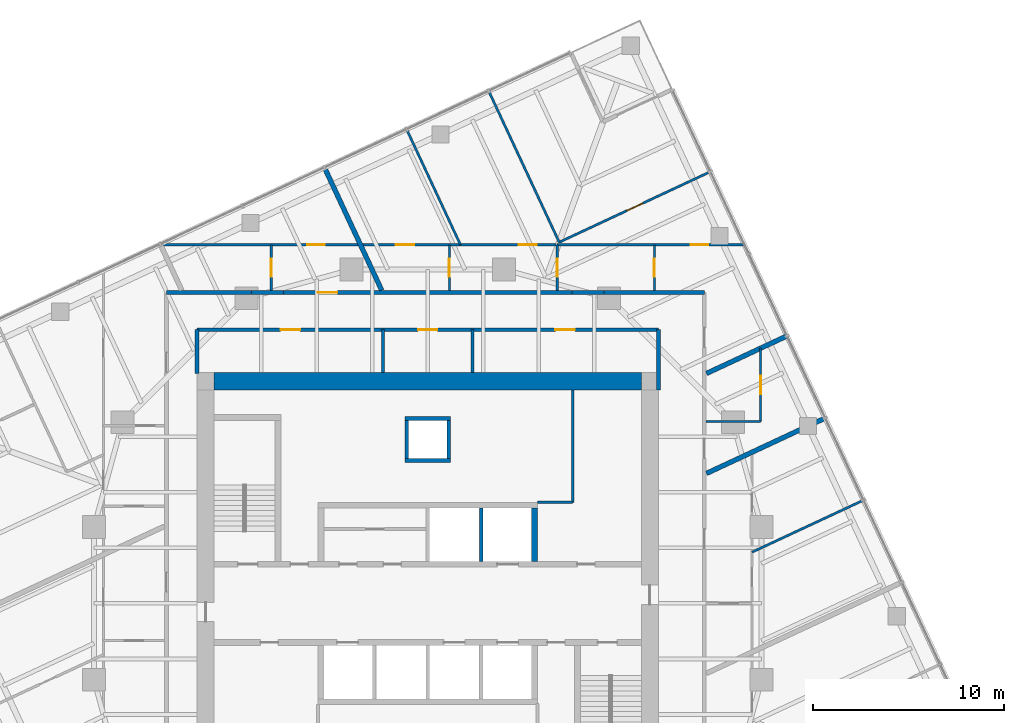
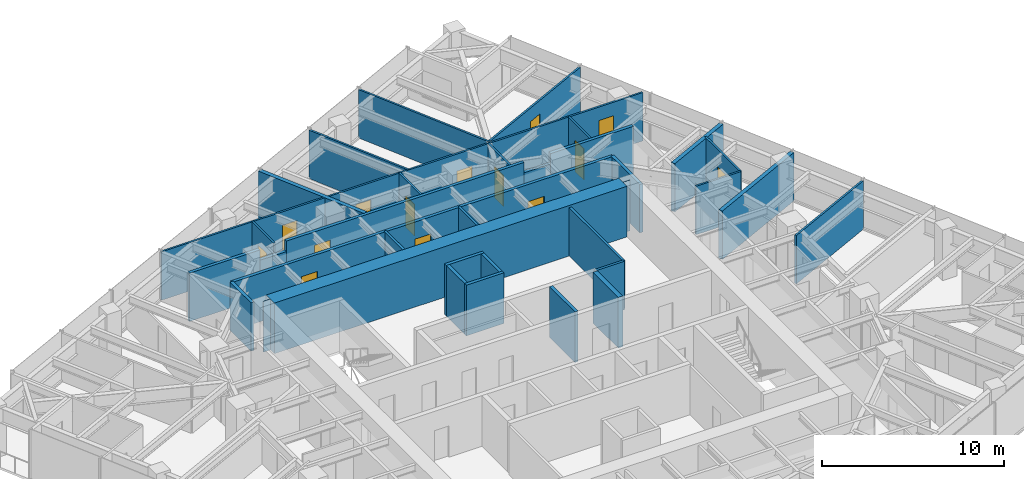
# One storey, part 11 of 13: 34 walls, 14 doors, 14 openings.
"""IFC4 building model written with IfcOpenShell, lengths in metres."""

from ifc_helpers import new_model, si_unit, direction, frame, frame_2d, origin, place, context, subcontext, project, spatial, polyline, rectangle, outline, extrude, material, layer, layer_set, type_object, element, fill, save


model = new_model("IFC4")

# Units and contexts
model_context = context("Model", 3, precision=1e-05, world=origin(), true_north=direction((0.0, 1.0)))
body_context = subcontext(model_context, "Body", "Model", "MODEL_VIEW")
ifc_project = project(units=[si_unit("LENGTHUNIT", "METRE"), si_unit("AREAUNIT", "SQUARE_METRE"), si_unit("VOLUMEUNIT", "CUBIC_METRE"), si_unit("PLANEANGLEUNIT", "RADIAN"), si_unit("MASSUNIT", "GRAM", prefix="KILO")], contexts=[model_context])

# Site, building, storey
site_placement = place(None, origin())
site = spatial("IfcSite", under=ifc_project, at=site_placement, CompositionType="ELEMENT")
building_placement = place(site_placement, origin())
building = spatial("IfcBuilding", under=site, at=building_placement, Name="Torsade Residences", CompositionType="ELEMENT")
storey_placement = place(building_placement, frame((0.0, 0.0, 176.0)))
storey = spatial("IfcBuildingStorey", under=building, at=storey_placement, Name="L48", CompositionType="ELEMENT", Elevation=176.0)

# Walls
ifc_material_1 = material(Name="Concrete 80 MPa", Category="concrete")
ifc_layer_1 = layer(ifc_material_1, 0.300048828125)
ifc_layer_set_1 = layer_set([ifc_layer_1], Name="Concrete 80 MPa")
wall_type_1 = type_object("IfcWallType", Name="CORE INTERNAL WALL 300", PredefinedType="SHEAR", material=ifc_layer_set_1)
wall_1_placement = place(storey_placement, frame((45.60009765625, 32.199951171875, 0.0), z_axis=(0.0, 0.0, 1.0), x_axis=(0.0, 1.0, 0.0)))
element("IfcWall", 1, at=wall_1_placement, inside=storey, type_object=wall_type_1, Name="Core wall DN4 L48", PredefinedType="SHEAR", context=body_context, shape_type="SweptSolid", body=[
    extrude(rectangle(XDim=2.800048828125, YDim=0.300048828125, at=frame_2d((1.39990234375, 0.0))), origin(), (0.0, 0.0, 1.0), 3.39990234375),
])
ifc_material_2 = material(Name="Concrete 80 MPa", Category="concrete")
ifc_layer_2 = layer(ifc_material_2, 0.89990234375)
ifc_layer_set_2 = layer_set([ifc_layer_2], Name="Concrete 80 MPa")
wall_type_2 = type_object("IfcWallType", Name="CORE WALL 900", PredefinedType="SHEAR", material=ifc_layer_set_2)
wall_2_placement = place(storey_placement, frame((28.800048828125, 41.64990234375, 0.0), z_axis=(0.0, 0.0, 1.0), x_axis=(1.0, 0.0, 0.0)))
element("IfcWall", 2, at=wall_2_placement, inside=storey, type_object=wall_type_2, Name="Core wall N L48", PredefinedType="SHEAR", context=body_context, shape_type="SweptSolid", body=[
    extrude(outline(polyline([(0.0, -0.449951171875), (22.39990234375, -0.449951171875), (22.39990234375, -0.02490234375), (22.849853515625, -0.02490234375), (22.849853515625, 0.02490234375), (22.39990234375, 0.02490234375), (22.39990234375, 0.449951171875), (0.0, 0.449951171875), (0.0, 0.02490234375), (-0.449951171875, 0.02490234375), (-0.449951171875, -0.02490234375), (0.0, -0.02490234375), (0.0, -0.449951171875)])), origin(), (0.0, 0.0, 1.0), 3.39990234375),
])
ifc_material_3 = material(Name="Plasterboard on steel stud", Category="steel")
ifc_layer_3 = layer(ifc_material_3, 0.199951171875)
ifc_layer_set_3 = layer_set([ifc_layer_3], Name="Plasterboard on steel stud")
wall_type_3 = type_object("IfcWallType", Name="CORRIDOR WALL 200", PredefinedType="PARTITIONING", material=ifc_layer_set_3)
wall_3_placement = place(storey_placement, frame((54.5, 46.300048828125, 0.0), z_axis=(0.0, 0.0, 1.0), x_axis=(-1.0, 0.0, 0.0)))
element("IfcWall", 3, at=wall_3_placement, inside=storey, type_object=wall_type_3, Name="Corridor wall L48", PredefinedType="PARTITIONING", context=body_context, shape_type="SweptSolid", body=[
    extrude(rectangle(XDim=5.25830078125, YDim=0.199951171875, at=frame_2d((2.629150390625, 0.0))), origin(), (0.0, 0.0, 1.0), 3.25),
])
wall_4_placement = place(storey_placement, frame((49.24169921875, 46.300048828125, 0.0), z_axis=(0.0, 0.0, 1.0), x_axis=(-1.0, 0.0, 0.0)))
element("IfcWall", 4, at=wall_4_placement, inside=storey, type_object=wall_type_3, Name="Corridor wall L48", PredefinedType="PARTITIONING", context=body_context, shape_type="SweptSolid", body=[
    extrude(rectangle(XDim=1.683349609375, YDim=0.199951171875, at=frame_2d((0.841796875, 0.0))), origin(), (0.0, 0.0, 1.0), 2.550048828125),
])

# Wall, opening, door
wall_5_placement = place(storey_placement, frame((47.558349609375, 46.300048828125, 0.0), z_axis=(0.0, 0.0, 1.0), x_axis=(-1.0, 0.0, 0.0)))
wall_5 = element("IfcWall", 5, at=wall_5_placement, inside=storey, type_object=wall_type_3, Name="Corridor wall L48", PredefinedType="PARTITIONING", context=body_context, shape_type="SweptSolid", body=[
    extrude(rectangle(XDim=15.11669921875, YDim=0.199951171875, at=frame_2d((7.558349609375, 0.0))), origin(), (0.0, 0.0, 1.0), 3.25),
])
opening_1_placement = place(wall_5_placement, frame((12.29541015625, 0.0, 0.0)))
opening_1 = element("IfcOpeningElement", 6, at=opening_1_placement, cuts=wall_5, Name="Opening D01", PredefinedType="OPENING", context=body_context, shape_type="SweptSolid", body=[
    extrude(rectangle(XDim=1.02001953125, YDim=2.340087890625, at=frame_2d((0.510009765625, 1.169921875))), frame((0.0, 0.10986328125, 0.0), z_axis=(0.0, -1.0, 0.0), x_axis=(1.0, 0.0, 0.0)), (0.0, 0.0, 1.0), 0.219970703125),
])
ifc_material_4 = material(Name="Solid-core timber fire door", Category="wood")
door_type_1 = type_object("IfcDoorType", Name="APARTMENT ENTRY DOOR 1020x2340", OperationType="NOTDEFINED", PredefinedType="DOOR", material=ifc_material_4)
door_1_placement = place(opening_1_placement, origin())
door_1 = element("IfcDoor", 7, at=door_1_placement, inside=storey, type_object=door_type_1, Name="Door Residential corridor to Kitchen and dining", OperationType="SINGLE_SWING_LEFT", OverallHeight=2.340087890625, OverallWidth=1.02001953125, PredefinedType="DOOR", context=body_context, shape_type="SweptSolid", body=[
    extrude(rectangle(XDim=1.02001953125, YDim=2.340087890625, at=frame_2d((0.510009765625, 1.169921875))), frame((0.0, 0.02490234375, 0.0), z_axis=(0.0, -1.0, 0.0), x_axis=(1.0, 0.0, 0.0)), (0.0, 0.0, 1.0), 0.050048828125),
])
fill(opening_1, door_1)

# Walls
wall_6_placement = place(storey_placement, frame((32.441650390625, 46.300048828125, 0.0), z_axis=(0.0, 0.0, 1.0), x_axis=(-1.0, 0.0, 0.0)))
element("IfcWall", 8, at=wall_6_placement, inside=storey, type_object=wall_type_3, Name="Corridor wall L48", PredefinedType="PARTITIONING", context=body_context, shape_type="SweptSolid", body=[
    extrude(rectangle(XDim=1.683349609375, YDim=0.199951171875, at=frame_2d((0.841796875, 0.0))), origin(), (0.0, 0.0, 1.0), 2.550048828125),
])
wall_7_placement = place(storey_placement, frame((30.75830078125, 46.300048828125, 0.0), z_axis=(0.0, 0.0, 1.0), x_axis=(-1.0, 0.0, 0.0)))
element("IfcWall", 9, at=wall_7_placement, inside=storey, type_object=wall_type_3, Name="Corridor wall L48", PredefinedType="PARTITIONING", context=body_context, shape_type="SweptSolid", body=[
    extrude(rectangle(XDim=4.458251953125, YDim=0.199951171875, at=frame_2d((2.22900390625, 0.0))), origin(), (0.0, 0.0, 1.0), 3.25),
])

# Wall, openings, doors
wall_8_placement = place(storey_placement, frame((52.10009765625, 44.35009765625, 0.0), z_axis=(0.0, 0.0, 1.0), x_axis=(-1.0, 0.0, 0.0)))
wall_8 = element("IfcWall", 10, at=wall_8_placement, inside=storey, type_object=wall_type_3, Name="Corridor wall L48", PredefinedType="PARTITIONING", context=body_context, shape_type="SweptSolid", body=[
    extrude(rectangle(XDim=24.2001953125, YDim=0.199951171875, at=frame_2d((12.10009765625, 0.0))), origin(), (0.0, 0.0, 1.0), 3.25),
])
opening_2_placement = place(wall_8_placement, frame((18.788818359375, 0.0, 0.0)))
opening_2 = element("IfcOpeningElement", 11, at=opening_2_placement, cuts=wall_8, Name="Opening D03", PredefinedType="OPENING", context=body_context, shape_type="SweptSolid", body=[
    extrude(rectangle(XDim=1.02001953125, YDim=2.10009765625, at=frame_2d((0.510009765625, 1.050048828125))), frame((0.0, 0.10986328125, 0.0), z_axis=(0.0, -1.0, 0.0), x_axis=(1.0, 0.0, 0.0)), (0.0, 0.0, 1.0), 0.219970703125),
])
opening_3_placement = place(wall_8_placement, frame((4.391357421875, 0.0, 0.0)))
opening_3 = element("IfcOpeningElement", 12, at=opening_3_placement, cuts=wall_8, Name="Opening D03", PredefinedType="OPENING", context=body_context, shape_type="SweptSolid", body=[
    extrude(rectangle(XDim=1.02001953125, YDim=2.10009765625, at=frame_2d((0.510009765625, 1.050048828125))), frame((0.0, 0.10986328125, 0.0), z_axis=(0.0, -1.0, 0.0), x_axis=(1.0, 0.0, 0.0)), (0.0, 0.0, 1.0), 0.219970703125),
])
opening_4_placement = place(wall_8_placement, frame((11.590087890625, 0.0, 0.0)))
opening_4 = element("IfcOpeningElement", 13, at=opening_4_placement, cuts=wall_8, Name="Opening D03", PredefinedType="OPENING", context=body_context, shape_type="SweptSolid", body=[
    extrude(rectangle(XDim=1.02001953125, YDim=2.10009765625, at=frame_2d((0.510009765625, 1.050048828125))), frame((0.0, 0.10986328125, 0.0), z_axis=(0.0, -1.0, 0.0), x_axis=(1.0, 0.0, 0.0)), (0.0, 0.0, 1.0), 0.219970703125),
])
ifc_material_5 = material(Name="Steel-framed fire door", Category="steel")
door_type_2 = type_object("IfcDoorType", Name="FIRE DOOR 1020", OperationType="NOTDEFINED", PredefinedType="DOOR", material=ifc_material_5)
door_2_placement = place(opening_2_placement, origin())
door_2 = element("IfcDoor", 14, at=door_2_placement, inside=storey, type_object=door_type_2, Name="Door Residential corridor to Residents storage", OperationType="SINGLE_SWING_LEFT", OverallHeight=2.10009765625, OverallWidth=1.02001953125, PredefinedType="DOOR", context=body_context, shape_type="SweptSolid", body=[
    extrude(rectangle(XDim=1.02001953125, YDim=2.10009765625, at=frame_2d((0.510009765625, 1.050048828125))), frame((0.0, 0.02490234375, 0.0), z_axis=(0.0, -1.0, 0.0), x_axis=(1.0, 0.0, 0.0)), (0.0, 0.0, 1.0), 0.050048828125),
])
fill(opening_2, door_2)
door_3_placement = place(opening_3_placement, origin())
door_3 = element("IfcDoor", 15, at=door_3_placement, inside=storey, type_object=door_type_2, Name="Door Residential corridor to Parcel room", OperationType="SINGLE_SWING_RIGHT", OverallHeight=2.10009765625, OverallWidth=1.02001953125, PredefinedType="DOOR", context=body_context, shape_type="SweptSolid", body=[
    extrude(rectangle(XDim=1.02001953125, YDim=2.10009765625, at=frame_2d((0.510009765625, 1.050048828125))), frame((0.0, 0.02490234375, 0.0), z_axis=(0.0, -1.0, 0.0), x_axis=(1.0, 0.0, 0.0)), (0.0, 0.0, 1.0), 0.050048828125),
])
fill(opening_3, door_3)
door_4_placement = place(opening_4_placement, origin())
door_4 = element("IfcDoor", 16, at=door_4_placement, inside=storey, type_object=door_type_2, Name="Door Residential corridor to Bulk store", OperationType="SINGLE_SWING_LEFT", OverallHeight=2.10009765625, OverallWidth=1.02001953125, PredefinedType="DOOR", context=body_context, shape_type="SweptSolid", body=[
    extrude(rectangle(XDim=1.02001953125, YDim=2.10009765625, at=frame_2d((0.510009765625, 1.050048828125))), frame((0.0, 0.02490234375, 0.0), z_axis=(0.0, -1.0, 0.0), x_axis=(1.0, 0.0, 0.0)), (0.0, 0.0, 1.0), 0.050048828125),
])
fill(opening_4, door_4)

# Walls
wall_9_placement = place(storey_placement, frame((27.89990234375, 44.35009765625, 0.0), z_axis=(0.0, 0.0, 1.0), x_axis=(0.0, -1.0, 0.0)))
element("IfcWall", 17, at=wall_9_placement, inside=storey, type_object=wall_type_3, Name="Corridor wall L48", PredefinedType="PARTITIONING", context=body_context, shape_type="SweptSolid", body=[
    extrude(rectangle(XDim=2.300048828125, YDim=0.199951171875, at=frame_2d((1.14990234375, 0.0))), origin(), (0.0, 0.0, 1.0), 3.25),
])
wall_10_placement = place(storey_placement, frame((52.10009765625, 41.179931640625, 0.0), z_axis=(0.0, 0.0, 1.0), x_axis=(0.0, 1.0, 0.0)))
element("IfcWall", 18, at=wall_10_placement, inside=storey, type_object=wall_type_3, Name="Corridor wall L48", PredefinedType="PARTITIONING", context=body_context, shape_type="SweptSolid", body=[
    extrude(rectangle(XDim=3.170166015625, YDim=0.199951171875, at=frame_2d((1.5849609375, 0.0))), origin(), (0.0, 0.0, 1.0), 3.25),
])
ifc_material_6 = material(Name="Reinforced blockwork", Category="masonry")
ifc_layer_4 = layer(ifc_material_6, 0.199951171875)
ifc_layer_set_4 = layer_set([ifc_layer_4], Name="Reinforced blockwork")
wall_type_4 = type_object("IfcWallType", Name="LIFT SHAFT DIVIDING WALL 200", PredefinedType="SOLIDWALL", material=ifc_layer_set_4)
wall_11_placement = place(storey_placement, frame((42.800048828125, 32.199951171875, 0.0), z_axis=(0.0, 0.0, 1.0), x_axis=(0.0, 1.0, 0.0)))
element("IfcWall", 19, at=wall_11_placement, inside=storey, type_object=wall_type_4, Name="Core wall DN3 L48", PredefinedType="SOLIDWALL", context=body_context, shape_type="SweptSolid", body=[
    extrude(rectangle(XDim=2.800048828125, YDim=0.199951171875, at=frame_2d((1.39990234375, 0.0))), origin(), (0.0, 0.0, 1.0), 3.39990234375),
])
ifc_material_7 = material(Name="Plasterboard on steel stud", Category="steel")
ifc_layer_5 = layer(ifc_material_7, 0.1201171875)
ifc_layer_set_5 = layer_set([ifc_layer_5], Name="Plasterboard on steel stud")
wall_type_5 = type_object("IfcWallType", Name="PARTITION 120", PredefinedType="PARTITIONING", material=ifc_layer_set_5)
wall_12_placement = place(storey_placement, frame((57.0, 32.686279296875, 0.0), z_axis=(0.0, 0.0, 1.0), x_axis=(0.906305562553, 0.422623032129, 0.0)))
element("IfcWall", 20, at=wall_12_placement, inside=storey, type_object=wall_type_5, Name="Partition L48", PredefinedType="PARTITIONING", context=body_context, shape_type="SweptSolid", body=[
    extrude(rectangle(XDim=6.41748046875, YDim=0.1201171875, at=frame_2d((3.208740234375, 0.0))), origin(), (0.0, 0.0, 1.0), 3.25),
])
wall_13_placement = place(storey_placement, frame((54.60009765625, 39.5380859375, 0.0), z_axis=(0.0, 0.0, 1.0), x_axis=(1.0, 0.0, 0.0)))
element("IfcWall", 21, at=wall_13_placement, inside=storey, type_object=wall_type_5, Name="Partition L48", PredefinedType="PARTITIONING", context=body_context, shape_type="SweptSolid", body=[
    extrude(rectangle(XDim=2.849853515625, YDim=0.1201171875, at=frame_2d((1.4248046875, 0.0))), origin(), (0.0, 0.0, 1.0), 3.25),
])

# Wall, opening, door
wall_14_placement = place(storey_placement, frame((57.449951171875, 39.5380859375, 0.0), z_axis=(0.0, 0.0, 1.0), x_axis=(0.0, 1.0, 0.0)))
wall_14 = element("IfcWall", 22, at=wall_14_placement, inside=storey, type_object=wall_type_5, Name="Partition L48", PredefinedType="PARTITIONING", context=body_context, shape_type="SweptSolid", body=[
    extrude(rectangle(XDim=3.840087890625, YDim=0.1201171875, at=frame_2d((1.919921875, 0.0))), origin(), (0.0, 0.0, 1.0), 3.25),
])
opening_5_placement = place(wall_14_placement, frame((1.43994140625, 0.0, 0.0)))
opening_5 = element("IfcOpeningElement", 23, at=opening_5_placement, cuts=wall_14, Name="Opening D05", PredefinedType="OPENING", context=body_context, shape_type="SweptSolid", body=[
    extrude(rectangle(XDim=0.9599609375, YDim=2.10009765625, at=frame_2d((0.47998046875, 1.050048828125))), frame((0.0, 0.070068359375, 0.0), z_axis=(0.0, -1.0, 0.0), x_axis=(1.0, 0.0, 0.0)), (0.0, 0.0, 1.0), 0.14013671875),
])
ifc_material_8 = material(Name="Hollow-core timber door in a steel cavity frame", Category="steel")
door_type_3 = type_object("IfcDoorType", Name="BATHROOM CAVITY SLIDING DOOR 960", OperationType="SLIDING_TO_LEFT", PredefinedType="DOOR", material=ifc_material_8)
door_5_placement = place(opening_5_placement, origin())
door_5 = element("IfcDoor", 24, at=door_5_placement, inside=storey, type_object=door_type_3, Name="Door Kitchen, living and sleeping to Bathroom", OperationType="SLIDING_TO_LEFT", OverallHeight=2.10009765625, OverallWidth=0.9599609375, PredefinedType="DOOR", context=body_context, shape_type="SweptSolid", body=[
    extrude(rectangle(XDim=0.9599609375, YDim=2.10009765625, at=frame_2d((0.47998046875, 1.050048828125))), frame((0.0, 0.02490234375, 0.0), z_axis=(0.0, -1.0, 0.0), x_axis=(1.0, 0.0, 0.0)), (0.0, 0.0, 1.0), 0.050048828125),
])
fill(opening_5, door_5)

wall_15_placement = place(storey_placement, frame((51.886474609375, 46.39990234375, 0.0), z_axis=(0.0, 0.0, 1.0), x_axis=(0.0, 1.0, 0.0)))
wall_15 = element("IfcWall", 25, at=wall_15_placement, inside=storey, type_object=wall_type_5, Name="Partition L48", PredefinedType="PARTITIONING", context=body_context, shape_type="SweptSolid", body=[
    extrude(rectangle(XDim=2.400146484375, YDim=0.1201171875, at=frame_2d((1.2001953125, 0.0))), origin(), (0.0, 0.0, 1.0), 3.25),
])
opening_6_placement = place(wall_15_placement, frame((0.719970703125, 0.0, 0.0)))
opening_6 = element("IfcOpeningElement", 26, at=opening_6_placement, cuts=wall_15, Name="Opening D05", PredefinedType="OPENING", context=body_context, shape_type="SweptSolid", body=[
    extrude(rectangle(XDim=0.9599609375, YDim=2.10009765625, at=frame_2d((0.47998046875, 1.050048828125))), frame((0.0, 0.070068359375, 0.0), z_axis=(0.0, -1.0, 0.0), x_axis=(1.0, 0.0, 0.0)), (0.0, 0.0, 1.0), 0.14013671875),
])
door_6_placement = place(opening_6_placement, origin())
door_6 = element("IfcDoor", 27, at=door_6_placement, inside=storey, type_object=door_type_3, Name="Door Kitchen and dining to Ensuite", OperationType="SLIDING_TO_LEFT", OverallHeight=2.10009765625, OverallWidth=0.9599609375, PredefinedType="DOOR", context=body_context, shape_type="SweptSolid", body=[
    extrude(rectangle(XDim=0.9599609375, YDim=2.10009765625, at=frame_2d((0.47998046875, 1.050048828125))), frame((0.0, 0.02490234375, 0.0), z_axis=(0.0, -1.0, 0.0), x_axis=(1.0, 0.0, 0.0)), (0.0, 0.0, 1.0), 0.050048828125),
])
fill(opening_6, door_6)

wall_16_placement = place(storey_placement, frame((46.782958984375, 48.800048828125, 0.0), z_axis=(0.0, 0.0, 1.0), x_axis=(1.0, 0.0, 0.0)))
wall_16 = element("IfcWall", 28, at=wall_16_placement, inside=storey, type_object=wall_type_5, Name="Partition L48", PredefinedType="PARTITIONING", context=body_context, shape_type="SweptSolid", body=[
    extrude(rectangle(XDim=9.783935546875, YDim=0.1201171875, at=frame_2d((4.89208984375, 0.0))), origin(), (0.0, 0.0, 1.0), 3.25),
])
opening_7_placement = place(wall_16_placement, frame((7.005859375, 0.0, 0.0)))
opening_7 = element("IfcOpeningElement", 29, at=opening_7_placement, cuts=wall_16, Name="Opening D02", PredefinedType="OPENING", context=body_context, shape_type="SweptSolid", body=[
    extrude(rectangle(XDim=0.919921875, YDim=2.340087890625, at=frame_2d((0.4599609375, 1.169921875))), frame((0.0, 0.070068359375, 0.0), z_axis=(0.0, -1.0, 0.0), x_axis=(1.0, 0.0, 0.0)), (0.0, 0.0, 1.0), 0.14013671875),
])
ifc_material_9 = material(Name="Hollow-core timber door", Category="wood")
door_type_4 = type_object("IfcDoorType", Name="INTERNAL DOOR 920x2340", OperationType="NOTDEFINED", PredefinedType="DOOR", material=ifc_material_9)
door_7_placement = place(opening_7_placement, origin())
door_7 = element("IfcDoor", 30, at=door_7_placement, inside=storey, type_object=door_type_4, Name="Door Kitchen and dining to Bedroom 3", OperationType="SINGLE_SWING_RIGHT", OverallHeight=2.340087890625, OverallWidth=0.919921875, PredefinedType="DOOR", context=body_context, shape_type="SweptSolid", body=[
    extrude(rectangle(XDim=0.919921875, YDim=2.340087890625, at=frame_2d((0.4599609375, 1.169921875))), frame((0.0, 0.02490234375, 0.0), z_axis=(0.0, -1.0, 0.0), x_axis=(1.0, 0.0, 0.0)), (0.0, 0.0, 1.0), 0.050048828125),
])
fill(opening_7, door_7)

wall_17_placement = place(storey_placement, frame((46.782958984375, 48.800048828125, 0.0), z_axis=(0.0, 0.0, 1.0), x_axis=(0.0, -1.0, 0.0)))
wall_17 = element("IfcWall", 31, at=wall_17_placement, inside=storey, type_object=wall_type_5, Name="Partition L48", PredefinedType="PARTITIONING", context=body_context, shape_type="SweptSolid", body=[
    extrude(rectangle(XDim=2.400146484375, YDim=0.1201171875, at=frame_2d((1.2001953125, 0.0))), origin(), (0.0, 0.0, 1.0), 3.25),
])
opening_8_placement = place(wall_17_placement, frame((0.719970703125, 0.0, 0.0)))
opening_8 = element("IfcOpeningElement", 32, at=opening_8_placement, cuts=wall_17, Name="Opening D05", PredefinedType="OPENING", context=body_context, shape_type="SweptSolid", body=[
    extrude(rectangle(XDim=0.9599609375, YDim=2.10009765625, at=frame_2d((0.47998046875, 1.050048828125))), frame((0.0, 0.070068359375, 0.0), z_axis=(0.0, -1.0, 0.0), x_axis=(1.0, 0.0, 0.0)), (0.0, 0.0, 1.0), 0.14013671875),
])
door_8_placement = place(opening_8_placement, origin())
door_8 = element("IfcDoor", 33, at=door_8_placement, inside=storey, type_object=door_type_3, Name="Door Ensuite to Bathroom", OperationType="SLIDING_TO_LEFT", OverallHeight=2.10009765625, OverallWidth=0.9599609375, PredefinedType="DOOR", context=body_context, shape_type="SweptSolid", body=[
    extrude(rectangle(XDim=0.9599609375, YDim=2.10009765625, at=frame_2d((0.47998046875, 1.050048828125))), frame((0.0, 0.02490234375, 0.0), z_axis=(0.0, -1.0, 0.0), x_axis=(1.0, 0.0, 0.0)), (0.0, 0.0, 1.0), 0.050048828125),
])
fill(opening_8, door_8)

wall_18_placement = place(storey_placement, frame((41.13720703125, 46.39990234375, 0.0), z_axis=(0.0, 0.0, 1.0), x_axis=(0.0, 1.0, 0.0)))
wall_18 = element("IfcWall", 34, at=wall_18_placement, inside=storey, type_object=wall_type_5, Name="Partition L48", PredefinedType="PARTITIONING", context=body_context, shape_type="SweptSolid", body=[
    extrude(rectangle(XDim=2.400146484375, YDim=0.1201171875, at=frame_2d((1.2001953125, 0.0))), origin(), (0.0, 0.0, 1.0), 3.25),
])
opening_9_placement = place(wall_18_placement, frame((0.719970703125, 0.0, 0.0)))
opening_9 = element("IfcOpeningElement", 35, at=opening_9_placement, cuts=wall_18, Name="Opening D05", PredefinedType="OPENING", context=body_context, shape_type="SweptSolid", body=[
    extrude(rectangle(XDim=0.9599609375, YDim=2.10009765625, at=frame_2d((0.47998046875, 1.050048828125))), frame((0.0, 0.070068359375, 0.0), z_axis=(0.0, -1.0, 0.0), x_axis=(1.0, 0.0, 0.0)), (0.0, 0.0, 1.0), 0.14013671875),
])
door_9_placement = place(opening_9_placement, origin())
door_9 = element("IfcDoor", 36, at=door_9_placement, inside=storey, type_object=door_type_3, Name="Door Bathroom to Laundry", OperationType="SLIDING_TO_LEFT", OverallHeight=2.10009765625, OverallWidth=0.9599609375, PredefinedType="DOOR", context=body_context, shape_type="SweptSolid", body=[
    extrude(rectangle(XDim=0.9599609375, YDim=2.10009765625, at=frame_2d((0.47998046875, 1.050048828125))), frame((0.0, 0.02490234375, 0.0), z_axis=(0.0, -1.0, 0.0), x_axis=(1.0, 0.0, 0.0)), (0.0, 0.0, 1.0), 0.050048828125),
])
fill(opening_9, door_9)

# Wall, openings, doors
wall_19_placement = place(storey_placement, frame((25.99267578125, 48.800048828125, 0.0), z_axis=(0.0, 0.0, 1.0), x_axis=(1.0, 0.0, 0.0)))
wall_19 = element("IfcWall", 37, at=wall_19_placement, inside=storey, type_object=wall_type_5, Name="Partition L48", PredefinedType="PARTITIONING", context=body_context, shape_type="SweptSolid", body=[
    extrude(rectangle(XDim=20.723876953125, YDim=0.1201171875, at=frame_2d((10.36181640625, 0.0))), origin(), (0.0, 0.0, 1.0), 3.25),
])
opening_10_placement = place(wall_19_placement, frame((7.68115234375, 0.0, 0.0)))
opening_10 = element("IfcOpeningElement", 38, at=opening_10_placement, cuts=wall_19, Name="Opening D02", PredefinedType="OPENING", context=body_context, shape_type="SweptSolid", body=[
    extrude(rectangle(XDim=0.919921875, YDim=2.340087890625, at=frame_2d((0.4599609375, 1.169921875))), frame((0.0, 0.070068359375, 0.0), z_axis=(0.0, -1.0, 0.0), x_axis=(1.0, 0.0, 0.0)), (0.0, 0.0, 1.0), 0.14013671875),
])
opening_11_placement = place(wall_19_placement, frame((18.765869140625, 0.0, 0.0)))
opening_11 = element("IfcOpeningElement", 39, at=opening_11_placement, cuts=wall_19, Name="Opening D05", PredefinedType="OPENING", context=body_context, shape_type="SweptSolid", body=[
    extrude(rectangle(XDim=0.9599609375, YDim=2.10009765625, at=frame_2d((0.47998046875, 1.050048828125))), frame((0.0, 0.070068359375, 0.0), z_axis=(0.0, -1.0, 0.0), x_axis=(1.0, 0.0, 0.0)), (0.0, 0.0, 1.0), 0.14013671875),
])
opening_12_placement = place(wall_19_placement, frame((12.333251953125, 0.0, 0.0)))
opening_12 = element("IfcOpeningElement", 40, at=opening_12_placement, cuts=wall_19, Name="Opening D05", PredefinedType="OPENING", context=body_context, shape_type="SweptSolid", body=[
    extrude(rectangle(XDim=0.9599609375, YDim=2.10009765625, at=frame_2d((0.47998046875, 1.050048828125))), frame((0.0, 0.070068359375, 0.0), z_axis=(0.0, -1.0, 0.0), x_axis=(1.0, 0.0, 0.0)), (0.0, 0.0, 1.0), 0.14013671875),
])
door_10_placement = place(opening_11_placement, origin())
door_10 = element("IfcDoor", 41, at=door_10_placement, inside=storey, type_object=door_type_3, Name="Door Bathroom to Bedroom 1", OperationType="SLIDING_TO_LEFT", OverallHeight=2.10009765625, OverallWidth=0.9599609375, PredefinedType="DOOR", context=body_context, shape_type="SweptSolid", body=[
    extrude(rectangle(XDim=0.9599609375, YDim=2.10009765625, at=frame_2d((0.47998046875, 1.050048828125))), frame((0.0, 0.02490234375, 0.0), z_axis=(0.0, -1.0, 0.0), x_axis=(1.0, 0.0, 0.0)), (0.0, 0.0, 1.0), 0.050048828125),
])
fill(opening_11, door_10)
door_11_placement = place(opening_12_placement, origin())
door_11 = element("IfcDoor", 42, at=door_11_placement, inside=storey, type_object=door_type_3, Name="Door Laundry to Bedroom 2", OperationType="SLIDING_TO_LEFT", OverallHeight=2.10009765625, OverallWidth=0.9599609375, PredefinedType="DOOR", context=body_context, shape_type="SweptSolid", body=[
    extrude(rectangle(XDim=0.9599609375, YDim=2.10009765625, at=frame_2d((0.47998046875, 1.050048828125))), frame((0.0, 0.02490234375, 0.0), z_axis=(0.0, -1.0, 0.0), x_axis=(1.0, 0.0, 0.0)), (0.0, 0.0, 1.0), 0.050048828125),
])
fill(opening_12, door_11)
door_12_placement = place(opening_10_placement, origin())
door_12 = element("IfcDoor", 43, at=door_12_placement, inside=storey, type_object=door_type_4, Name="Door Kitchen and dining to Studio living and sleeping", OperationType="SINGLE_SWING_RIGHT", OverallHeight=2.340087890625, OverallWidth=0.919921875, PredefinedType="DOOR", context=body_context, shape_type="SweptSolid", body=[
    extrude(rectangle(XDim=0.919921875, YDim=2.340087890625, at=frame_2d((0.4599609375, 1.169921875))), frame((0.0, 0.02490234375, 0.0), z_axis=(0.0, -1.0, 0.0), x_axis=(1.0, 0.0, 0.0)), (0.0, 0.0, 1.0), 0.050048828125),
])
fill(opening_10, door_12)

# Wall
wall_20_placement = place(storey_placement, frame((46.892578125, 48.937255859375, 0.0), z_axis=(0.0, 0.0, 1.0), x_axis=(-0.422638395676, 0.906298398156, 0.0)))
element("IfcWall", 44, at=wall_20_placement, inside=storey, type_object=wall_type_5, Name="Partition L48", PredefinedType="PARTITIONING", context=body_context, shape_type="SweptSolid", body=[
    extrude(rectangle(XDim=8.7099609375, YDim=0.1201171875, at=frame_2d((4.35498046875, 0.0))), origin(), (0.0, 0.0, 1.0), 3.25),
])

# Wall, opening, door
wall_21_placement = place(storey_placement, frame((54.78662109375, 52.6181640625, 0.0), z_axis=(0.0, 0.0, 1.0), x_axis=(-0.906314140712, -0.422604635972, 0.0)))
wall_21 = element("IfcWall", 45, at=wall_21_placement, inside=storey, type_object=wall_type_5, Name="Partition L48", PredefinedType="PARTITIONING", context=body_context, shape_type="SweptSolid", body=[
    extrude(rectangle(XDim=8.7099609375, YDim=0.1201171875, at=frame_2d((4.35498046875, 0.0))), origin(), (0.0, 0.0, 1.0), 3.25),
])
opening_13_placement = place(wall_21_placement, frame((3.875, 0.0, 0.0)))
opening_13 = element("IfcOpeningElement", 46, at=opening_13_placement, cuts=wall_21, Name="Opening D02", PredefinedType="OPENING", context=body_context, shape_type="SweptSolid", body=[
    extrude(rectangle(XDim=0.919921875, YDim=2.340087890625, at=frame_2d((0.4599609375, 1.169921875))), frame((0.0, 0.070068359375, 0.0), z_axis=(0.0, -1.0, 0.0), x_axis=(1.0, 0.0, 0.0)), (0.0, 0.0, 1.0), 0.14013671875),
])
door_13_placement = place(opening_13_placement, origin())
door_13 = element("IfcDoor", 47, at=door_13_placement, inside=storey, type_object=door_type_4, Name="Door Bedroom 3 to Living room", OperationType="SINGLE_SWING_RIGHT", OverallHeight=2.340087890625, OverallWidth=0.919921875, PredefinedType="DOOR", context=body_context, shape_type="SweptSolid", body=[
    extrude(rectangle(XDim=0.919921875, YDim=2.340087890625, at=frame_2d((0.4599609375, 1.169921875))), frame((0.0, 0.02490234375, 0.0), z_axis=(0.0, -1.0, 0.0), x_axis=(1.0, 0.0, 0.0)), (0.0, 0.0, 1.0), 0.050048828125),
])
fill(opening_13, door_13)

# Wall
wall_22_placement = place(storey_placement, frame((41.715576171875, 48.800048828125, 0.0), z_axis=(0.0, 0.0, 1.0), x_axis=(-0.422642131948, 0.906296655793, 0.0)))
element("IfcWall", 48, at=wall_22_placement, inside=storey, type_object=wall_type_5, Name="Partition L48", PredefinedType="PARTITIONING", context=body_context, shape_type="SweptSolid", body=[
    extrude(rectangle(XDim=6.646484375, YDim=0.1201171875, at=frame_2d((3.3232421875, 0.0))), origin(), (0.0, 0.0, 1.0), 3.25),
])

# Wall, opening, door
wall_23_placement = place(storey_placement, frame((31.79296875, 46.39990234375, 0.0), z_axis=(0.0, 0.0, 1.0), x_axis=(0.0, 1.0, 0.0)))
wall_23 = element("IfcWall", 49, at=wall_23_placement, inside=storey, type_object=wall_type_5, Name="Partition L48", PredefinedType="PARTITIONING", context=body_context, shape_type="SweptSolid", body=[
    extrude(rectangle(XDim=2.400146484375, YDim=0.1201171875, at=frame_2d((1.2001953125, 0.0))), origin(), (0.0, 0.0, 1.0), 3.25),
])
opening_14_placement = place(wall_23_placement, frame((0.719970703125, 0.0, 0.0)))
opening_14 = element("IfcOpeningElement", 50, at=opening_14_placement, cuts=wall_23, Name="Opening D05", PredefinedType="OPENING", context=body_context, shape_type="SweptSolid", body=[
    extrude(rectangle(XDim=0.9599609375, YDim=2.10009765625, at=frame_2d((0.47998046875, 1.050048828125))), frame((0.0, 0.070068359375, 0.0), z_axis=(0.0, -1.0, 0.0), x_axis=(1.0, 0.0, 0.0)), (0.0, 0.0, 1.0), 0.14013671875),
])
door_14_placement = place(opening_14_placement, origin())
door_14 = element("IfcDoor", 51, at=door_14_placement, inside=storey, type_object=door_type_3, Name="Door Kitchen and dining to Bathroom", OperationType="SLIDING_TO_LEFT", OverallHeight=2.10009765625, OverallWidth=0.9599609375, PredefinedType="DOOR", context=body_context, shape_type="SweptSolid", body=[
    extrude(rectangle(XDim=0.9599609375, YDim=2.10009765625, at=frame_2d((0.47998046875, 1.050048828125))), frame((0.0, 0.02490234375, 0.0), z_axis=(0.0, -1.0, 0.0), x_axis=(1.0, 0.0, 0.0)), (0.0, 0.0, 1.0), 0.050048828125),
])
fill(opening_14, door_14)

# Walls
ifc_material_10 = material(Name="Masonry-lined stud party wall", Category="masonry")
ifc_layer_6 = layer(ifc_material_10, 0.25)
ifc_layer_set_6 = layer_set([ifc_layer_6], Name="Masonry-lined stud party wall")
wall_type_6 = type_object("IfcWallType", Name="PARTY WALL 250", PredefinedType="PARTITIONING", material=ifc_layer_set_6)
wall_24_placement = place(storey_placement, frame((60.844970703125, 39.72021484375, 0.0), z_axis=(0.0, 0.0, 1.0), x_axis=(-0.90631378723, -0.422605394046, 0.0)))
element("IfcWall", 52, at=wall_24_placement, inside=storey, type_object=wall_type_6, Name="Party wall L48", PredefinedType="PARTITIONING", context=body_context, shape_type="SweptSolid", body=[
    extrude(rectangle(XDim=6.872314453125, YDim=0.25, at=frame_2d((3.43603515625, 0.0))), origin(), (0.0, 0.0, 1.0), 3.25),
])
wall_25_placement = place(storey_placement, frame((58.837646484375, 44.025146484375, 0.0), z_axis=(0.0, 0.0, 1.0), x_axis=(-0.906317010604, -0.422598481173, 0.0)))
element("IfcWall", 53, at=wall_25_placement, inside=storey, type_object=wall_type_6, Name="Party wall L48", PredefinedType="PARTITIONING", context=body_context, shape_type="SweptSolid", body=[
    extrude(rectangle(XDim=4.657470703125, YDim=0.25, at=frame_2d((2.32861328125, 0.0))), origin(), (0.0, 0.0, 1.0), 3.25),
])
wall_26_placement = place(storey_placement, frame((34.584716796875, 52.8525390625, 0.0), z_axis=(0.0, 0.0, 1.0), x_axis=(0.422623839356, -0.906305186131, 0.0)))
element("IfcWall", 54, at=wall_26_placement, inside=storey, type_object=wall_type_6, Name="Party wall L48", PredefinedType="PARTITIONING", context=body_context, shape_type="SweptSolid", body=[
    extrude(rectangle(XDim=7.101318359375, YDim=0.25, at=frame_2d((3.55078125, 0.0))), origin(), (0.0, 0.0, 1.0), 3.25),
])
ifc_material_11 = material(Name="Reinforced blockwork", Category="masonry")
ifc_layer_7 = layer(ifc_material_11, 0.199951171875)
ifc_layer_set_7 = layer_set([ifc_layer_7], Name="Reinforced blockwork")
wall_type_7 = type_object("IfcWallType", Name="RISER SHAFT WALL 200", PredefinedType="SOLIDWALL", material=ifc_layer_set_7)
for number, where, z_axis, x_axis, name in (
    (55, (38.89990234375, 37.60009765625, 0.0), (0.0, 0.0, 1.0), (0.0, 1.0, 0.0), "Core wall RS1a L48"),
    (56, (41.10009765625, 37.60009765625, 0.0), (0.0, 0.0, 1.0), (0.0, 1.0, 0.0), "Core wall RS1b L48"),
):
    element("IfcWall", number, at=place(storey_placement, frame(where, z_axis=z_axis, x_axis=x_axis)), inside=storey, type_object=wall_type_7, Name=name, PredefinedType="SOLIDWALL", context=body_context, shape_type="SweptSolid", body=[
        extrude(rectangle(XDim=2.0, YDim=0.199951171875, at=frame_2d((1.0, 0.0))), origin(), (0.0, 0.0, 1.0), 3.39990234375),
    ])
for number, where, z_axis, x_axis, name in (
    (57, (38.800048828125, 37.5, 0.0), (0.0, 0.0, 1.0), (1.0, 0.0, 0.0), "Core wall RS1c L48"),
    (58, (38.800048828125, 39.699951171875, 0.0), (0.0, 0.0, 1.0), (1.0, 0.0, 0.0), "Core wall RS1d L48"),
):
    element("IfcWall", number, at=place(storey_placement, frame(where, z_axis=z_axis, x_axis=x_axis)), inside=storey, type_object=wall_type_7, Name=name, PredefinedType="SOLIDWALL", context=body_context, shape_type="SweptSolid", body=[
        extrude(rectangle(XDim=2.39990234375, YDim=0.199951171875, at=frame_2d((1.199951171875, 0.0))), origin(), (0.0, 0.0, 1.0), 3.39990234375),
    ])
ifc_material_12 = material(Name="Reinforced blockwork", Category="masonry")
ifc_layer_8 = layer(ifc_material_12, 0.14990234375)
ifc_layer_set_8 = layer_set([ifc_layer_8], Name="Reinforced blockwork")
wall_type_8 = type_object("IfcWallType", Name="SERVICE ROOM WALL 150", PredefinedType="SOLIDWALL", material=ifc_layer_set_8)
wall_27_placement = place(storey_placement, frame((47.60009765625, 41.199951171875, 0.0), z_axis=(0.0, 0.0, 1.0), x_axis=(0.0, -1.0, 0.0)))
element("IfcWall", 59, at=wall_27_placement, inside=storey, type_object=wall_type_8, Name="Service room wall L48", PredefinedType="SOLIDWALL", context=body_context, shape_type="SweptSolid", body=[
    extrude(rectangle(XDim=5.89990234375, YDim=0.14990234375, at=frame_2d((2.949951171875, 0.0))), origin(), (0.0, 0.0, 1.0), 3.25),
])
wall_28_placement = place(storey_placement, frame((47.60009765625, 35.300048828125, 0.0), z_axis=(0.0, 0.0, 1.0), x_axis=(-1.0, 0.0, 0.0)))
element("IfcWall", 60, at=wall_28_placement, inside=storey, type_object=wall_type_8, Name="Service room wall L48", PredefinedType="SOLIDWALL", context=body_context, shape_type="SweptSolid", body=[
    extrude(rectangle(XDim=1.85009765625, YDim=0.14990234375, at=frame_2d((0.925048828125, 0.0))), origin(), (0.0, 0.0, 1.0), 3.25),
])
for number, where, z_axis, x_axis, name in (
    (61, (37.652587890625, 42.10009765625, 0.0), (0.0, 0.0, 1.0), (0.0, 1.0, 0.0), "Service room wall L48"),
    (62, (42.347412109375, 42.10009765625, 0.0), (0.0, 0.0, 1.0), (0.0, 1.0, 0.0), "Service room wall L48"),
):
    element("IfcWall", number, at=place(storey_placement, frame(where, z_axis=z_axis, x_axis=x_axis)), inside=storey, type_object=wall_type_8, Name=name, PredefinedType="SOLIDWALL", context=body_context, shape_type="SweptSolid", body=[
        extrude(rectangle(XDim=2.25, YDim=0.14990234375, at=frame_2d((1.125, 0.0))), origin(), (0.0, 0.0, 1.0), 3.25),
    ])

save(model, "model.ifc")
